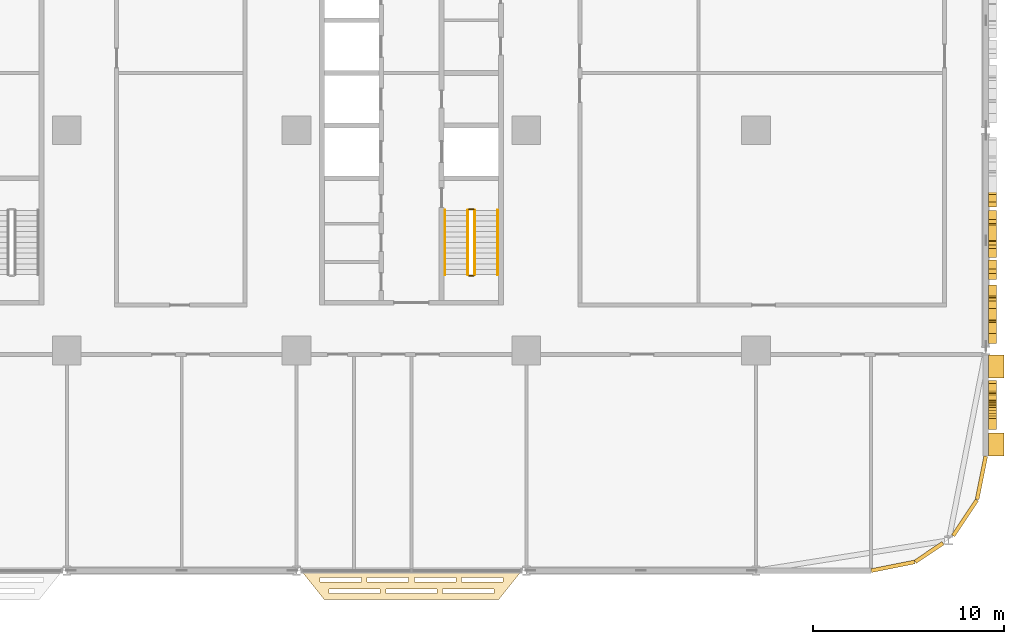
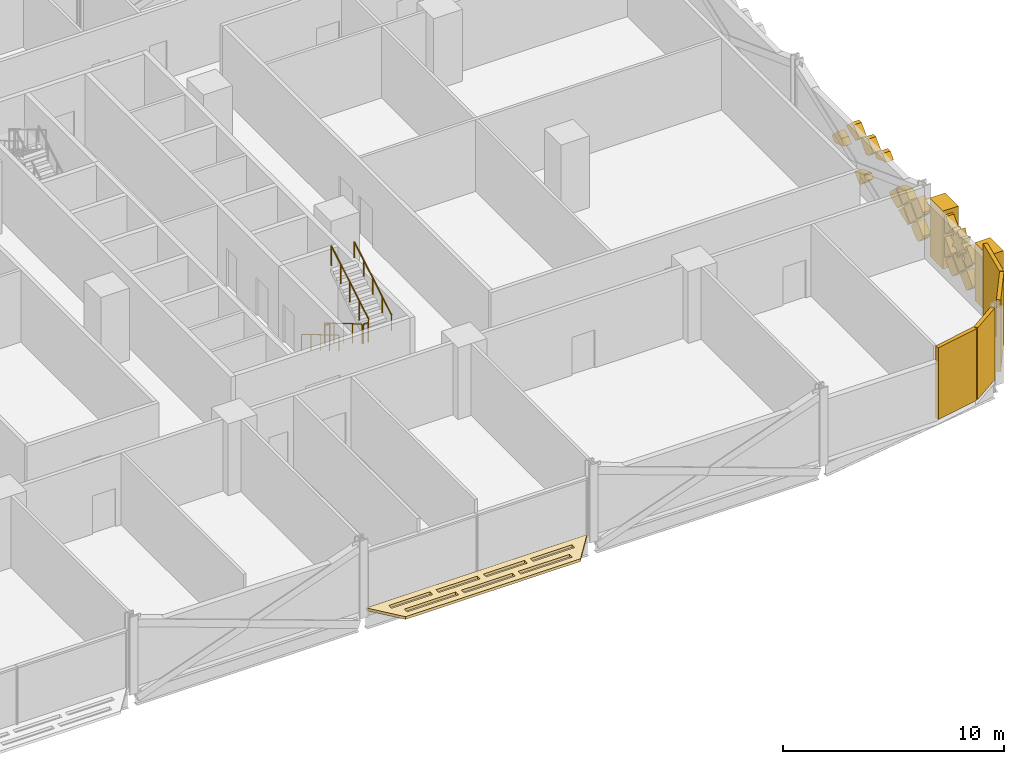
# One storey, part 28 of 29: 25 coverings, 6 railings.
"""IFC4 building model written with IfcOpenShell, lengths in metres."""

from ifc_helpers import new_model, si_unit, direction, frame, origin, origin_2d, place, context, subcontext, project, spatial, polyline, rectangle, circle, outline, extrude, material, layer, layer_set, type_object, element, save


model = new_model("IFC4")

# Units and contexts
model_context = context("Model", 3, precision=1e-05, world=origin(), true_north=direction((0.0, 1.0)))
body_context = subcontext(model_context, "Body", "Model", "MODEL_VIEW")
ifc_project = project(units=[si_unit("LENGTHUNIT", "METRE"), si_unit("AREAUNIT", "SQUARE_METRE"), si_unit("VOLUMEUNIT", "CUBIC_METRE"), si_unit("PLANEANGLEUNIT", "RADIAN"), si_unit("MASSUNIT", "GRAM", prefix="KILO")], contexts=[model_context])

# Site, building, storey
site_placement = place(None, origin())
site = spatial("IfcSite", under=ifc_project, at=site_placement, CompositionType="ELEMENT")
building_placement = place(site_placement, origin())
building = spatial("IfcBuilding", under=site, at=building_placement, Name="Mahtab Terrace Research Tower", CompositionType="ELEMENT")
storey_placement = place(building_placement, frame((0.0, 0.0, 54.60009765625)))
storey = spatial("IfcBuildingStorey", under=building, at=storey_placement, Name="L12", CompositionType="ELEMENT", Elevation=54.60009765625)

# Coverings
ifc_material_1 = material(Name="Black aluminium cladding panel", Category="aluminium")
ifc_layer_1 = layer(ifc_material_1, 0.199951171875)
ifc_layer_set_1 = layer_set([ifc_layer_1], Name="Black metal corner cladding 200")
covering_type_1 = type_object("IfcCoveringType", Name="Black metal corner cladding 200", PredefinedType="CLADDING", material=ifc_layer_set_1)
covering_1_placement = place(storey_placement, frame((49.14794921875, -22.771484375, 0.0), z_axis=(0.0, 0.0, 1.0), x_axis=(0.980760981187, 0.195212442692, 0.0)))
element("IfcCovering", 1, at=covering_1_placement, inside=storey, type_object=covering_type_1, Name="Corner cladding L12 31", PredefinedType="CLADDING", context=body_context, shape_type="SweptSolid", body=[
    extrude(rectangle(XDim=2.30126953125, YDim=0.199951171875, at=origin_2d()), origin(), (0.0, 0.0, 1.0), 3.9599609375),
])
covering_2_placement = place(storey_placement, frame((51.0380859375, -22.047607421875, 0.0), z_axis=(0.0, 0.0, 1.0), x_axis=(0.831655794326, 0.555291490808, 0.0)))
element("IfcCovering", 2, at=covering_2_placement, inside=storey, type_object=covering_type_1, Name="Corner cladding L12 32", PredefinedType="CLADDING", context=body_context, shape_type="SweptSolid", body=[
    extrude(rectangle(XDim=1.74462890625, YDim=0.199951171875, at=origin_2d()), origin(), (0.0, 0.0, 1.0), 3.9599609375),
])
covering_3_placement = place(storey_placement, frame((52.911376953125, -20.2421875, 0.0), z_axis=(0.0, 0.0, 1.0), x_axis=(0.555291490808, 0.831655794326, 0.0)))
element("IfcCovering", 3, at=covering_3_placement, inside=storey, type_object=covering_type_1, Name="Corner cladding L12 33", PredefinedType="CLADDING", context=body_context, shape_type="SweptSolid", body=[
    extrude(rectangle(XDim=2.235595703125, YDim=0.199951171875, at=origin_2d()), origin(), (0.0, 0.0, 1.0), 3.9599609375),
])
covering_4_placement = place(storey_placement, frame((53.771484375, -18.14794921875, 0.0), z_axis=(0.0, 0.0, 1.0), x_axis=(0.195212442692, 0.980760981187, 0.0)))
element("IfcCovering", 4, at=covering_4_placement, inside=storey, type_object=covering_type_1, Name="Corner cladding L12 34", PredefinedType="CLADDING", context=body_context, shape_type="SweptSolid", body=[
    extrude(rectangle(XDim=2.30126953125, YDim=0.199951171875, at=origin_2d()), origin(), (0.0, 0.0, 1.0), 3.9599609375),
])
ifc_material_2 = material(Name="Black anodised aluminium", Category="aluminium")
ifc_layer_2 = layer(ifc_material_2, 0.14990234375)
ifc_layer_set_2 = layer_set([ifc_layer_2], Name="Horizontal sunshade band")
covering_type_2 = type_object("IfcCoveringType", Name="Horizontal sunshade band", PredefinedType="CLADDING", material=ifc_layer_set_2)
covering_5_placement = place(storey_placement, frame((0.0, 0.0, -0.150146484375)))
element("IfcCovering", 5, at=covering_5_placement, inside=storey, type_object=covering_type_2, Name="Sunshade band L12 28", PredefinedType="CLADDING", context=body_context, shape_type="SweptSolid", body=[
    extrude(outline(polyline([(18.238037109375, -23.0), (29.761962890625, -23.0), (28.56201171875, -24.5), (19.43798828125, -24.5), (18.238037109375, -23.0)]), holes=[polyline([(19.218017578125, -23.35009765625), (21.384033203125, -23.35009765625), (21.384033203125, -23.60009765625), (19.218017578125, -23.60009765625), (19.218017578125, -23.35009765625)]), polyline([(21.68408203125, -23.35009765625), (23.85009765625, -23.35009765625), (23.85009765625, -23.60009765625), (21.68408203125, -23.60009765625), (21.68408203125, -23.35009765625)]), polyline([(24.14990234375, -23.35009765625), (26.31591796875, -23.35009765625), (26.31591796875, -23.60009765625), (24.14990234375, -23.60009765625), (24.14990234375, -23.35009765625)]), polyline([(26.615966796875, -23.35009765625), (28.781982421875, -23.35009765625), (28.781982421875, -23.60009765625), (26.615966796875, -23.60009765625), (26.615966796875, -23.35009765625)]), polyline([(19.697998046875, -23.949951171875), (22.365966796875, -23.949951171875), (22.365966796875, -24.199951171875), (19.697998046875, -24.199951171875), (19.697998046875, -23.949951171875)]), polyline([(22.666015625, -23.949951171875), (25.333984375, -23.949951171875), (25.333984375, -24.199951171875), (22.666015625, -24.199951171875), (22.666015625, -23.949951171875)]), polyline([(25.634033203125, -23.949951171875), (28.302001953125, -23.949951171875), (28.302001953125, -24.199951171875), (25.634033203125, -24.199951171875), (25.634033203125, -23.949951171875)])]), origin(), (0.0, 0.0, 1.0), 0.150146484375),
])
ifc_material_3 = material(Name="Bronze anodised aluminium", Category="aluminium")
ifc_layer_3 = layer(ifc_material_3, 0.39990234375)
ifc_layer_set_3 = layer_set([ifc_layer_3], Name="Mashrabiya relief panel 400")
covering_type_3 = type_object("IfcCoveringType", Name="Mashrabiya relief panel 400", PredefinedType="CLADDING", material=ifc_layer_set_3)
covering_6_placement = place(storey_placement, frame((54.14990234375, -14.10498046875, 2.600830078125), z_axis=(-1.0, 0.0, 0.0), x_axis=(0.0, 0.924784909208, 0.380490304346)))
element("IfcCovering", 6, at=covering_6_placement, inside=storey, type_object=covering_type_3, Name="Girih star panel L12 E35.1", PredefinedType="CLADDING", context=body_context, shape_type="SweptSolid", body=[
    extrude(outline(polyline([(0.0, 0.0), (0.3785719822676483, 0.0), (0.11224734785337949, 0.2687322986646593), (0.37970496369230244, 0.5355884707789882), (0.0018902966904386642, 0.5369560467454342), (0.0018902966904386642, 0.9155280290130825), (-0.2670677795399452, 0.6491105014581041), (-0.5340168447949836, 0.9167938948627515), (-0.53529152762072, 0.5387534502951633), (-0.9138635098883683, 0.5387534502951632), (-0.64744598233339, 0.2697953740647794), (-0.9149035981723128, 0.0029392019504504985), (-0.5370889311704492, 0.0015716259840045654), (-0.5371818243111587, -0.3767745787179192), (-0.2682237480807748, -0.11035705116294083), (-0.0012746828257363951, -0.3780404445675883), (0.0, 0.0)])), origin(), (0.0, 0.0, -1.0), 0.39990234375),
])
covering_7_placement = place(storey_placement, frame((54.14990234375, -15.6298828125, 0.64990234375), z_axis=(-1.0, 0.0, 0.0), x_axis=(0.0, 0.706957932274, 0.707255598772)))
element("IfcCovering", 7, at=covering_7_placement, inside=storey, type_object=covering_type_3, Name="Mashrabiya lattice cell L12 E35.2", PredefinedType="CLADDING", context=body_context, shape_type="SweptSolid", body=[
    extrude(outline(polyline([(0.0, 0.0), (0.8201817362875763, 0.0), (0.8200090664636573, 0.8203543334390104), (0.0916684182924955, 0.820028397344618), (-0.0001532662704735177, 0.7281680510197277), (0.0, 0.0)])), origin(), (0.0, 0.0, -1.0), 0.39990234375),
])
covering_8_placement = place(storey_placement, frame((54.14990234375, -15.050048828125, 1.369873046875), z_axis=(-1.0, 0.0, 0.0), x_axis=(0.0, -0.706957932274, 0.707255598772)))
element("IfcCovering", 8, at=covering_8_placement, inside=storey, type_object=covering_type_3, Name="Mashrabiya lattice cell L12 E35.3", PredefinedType="CLADDING", context=body_context, shape_type="SweptSolid", body=[
    extrude(outline(polyline([(0.0, 0.0), (0.8201817362875763, 0.0), (0.8203543334390104, 0.8200090664636573), (0.6451313797835451, 0.8202185812373772), (0.683780278674983, 0.7204282860420267), (0.6832506416056557, 0.6646677785312252), (0.6485374664743102, 0.5989017233111799), (0.5891440614476379, 0.5633517245171966), (0.5105960062360153, 0.5642314249458747), (0.27531694716485533, 0.6611283378308256), (0.153381456361958, 0.393917352294651), (0.08138526169126073, 0.3557805037312152), (7.681481644880583e-05, 0.3649471929482466), (0.0, 0.0)])), origin(), (0.0, 0.0, -1.0), 0.39990234375),
])
covering_9_placement = place(storey_placement, frame((54.14990234375, -13.820068359375, 1.2998046875), z_axis=(-1.0, 0.0, 0.0), x_axis=(0.0, -0.707106781187, -0.707106781187)))
element("IfcCovering", 9, at=covering_9_placement, inside=storey, type_object=covering_type_3, Name="Mashrabiya lattice cell L12 E35.4", PredefinedType="CLADDING", context=body_context, shape_type="SweptSolid", body=[
    extrude(outline(polyline([(0.0, 0.0), (0.8200090846279543, 0.0), (0.820181718119455, 0.820181718119455), (0.30953185026061514, 0.820181718119455), (0.15899544567207285, 0.7573431272132285), (0.25601546789542234, 0.5218710448063801), (0.2586049702679317, 0.4526450147146308), (0.22407827196780727, 0.3866990209613932), (0.16469235089159334, 0.3514817886952663), (0.09960952459585887, 0.34854701933975574), (-0.00017263349150062335, 0.38756218841889634), (0.0, 0.0)])), origin(), (0.0, 0.0, -1.0), 0.39990234375),
])
covering_10_placement = place(storey_placement, frame((54.14990234375, -14.330078125, 0.64990234375), z_axis=(-1.0, 0.0, 0.0), x_axis=(0.0, 0.707106781187, 0.707106781187)))
element("IfcCovering", 10, at=covering_10_placement, inside=storey, type_object=covering_type_3, Name="Mashrabiya lattice cell L12 E35.5", PredefinedType="CLADDING", context=body_context, shape_type="SweptSolid", body=[
    extrude(outline(polyline([(0.0, 0.0), (0.8203543516109556, 0.0), (0.8203543516109556, 0.8203543516109556), (0.0920136509698315, 0.820181718119455), (0.0001726334915005956, 0.728340700641124), (0.0, 0.0)])), origin(), (0.0, 0.0, -1.0), 0.39990234375),
])
covering_11_placement = place(storey_placement, frame((54.14990234375, -13.10009765625, 0.719970703125), z_axis=(-1.0, 0.0, 0.0), x_axis=(0.0, -0.707106781187, 0.707106781187)))
element("IfcCovering", 11, at=covering_11_placement, inside=storey, type_object=covering_type_3, Name="Mashrabiya lattice cell L12 E35.6", PredefinedType="CLADDING", context=body_context, shape_type="SweptSolid", body=[
    extrude(outline(polyline([(0.0, 0.0), (0.8200090846279543, 0.0), (0.820181718119455, 0.820181718119455), (0.7818570830063168, 0.820181718119455), (-0.00017263349150062335, 0.038152001621637455), (0.0, 0.0)])), origin(), (0.0, 0.0, -1.0), 0.39990234375),
])
covering_12_placement = place(storey_placement, frame((54.14990234375, -13.10009765625, 2.02001953125), z_axis=(-1.0, 0.0, 0.0), x_axis=(0.0, -0.707257695018, 0.70695583514)))
element("IfcCovering", 12, at=covering_12_placement, inside=storey, type_object=covering_type_3, Name="Mashrabiya lattice cell L12 E35.7", PredefinedType="CLADDING", context=body_context, shape_type="SweptSolid", body=[
    extrude(outline(polyline([(0.0, 0.0), (0.808787926104479, 0.0), (0.8200033176400423, 0.027105852676614473), (0.8198677902190659, 0.6620518199519299), (0.7216183692070511, 0.7602593077923645), (-0.00018077692422814942, 0.038151963904411015), (0.0, 0.0)])), origin(), (0.0, 0.0, -1.0), 0.39990234375),
])
covering_13_placement = place(storey_placement, frame((54.14990234375, -11.126953125, 0.5849609375), z_axis=(-1.0, 0.0, 0.0), x_axis=(0.0, 0.0, 1.0)))
element("IfcCovering", 13, at=covering_13_placement, inside=storey, type_object=covering_type_3, Name="Mashrabiya lattice cell L12 E36.1", PredefinedType="CLADDING", context=body_context, shape_type="SweptSolid", body=[
    extrude(outline(polyline([(0.0, 0.0), (0.1298828125, 0.0), (0.64501953125, 0.514892578125), (0.06494140625, 1.094970703125), (-0.326171875, 0.703857421875), (-0.428955078125, 0.428955078125), (0.0, 0.0)])), origin(), (0.0, 0.0, -1.0), 0.39990234375),
])
covering_14_placement = place(storey_placement, frame((54.14990234375, -10.612060546875, 2.52978515625), z_axis=(-1.0, 0.0, 0.0), x_axis=(0.0, 0.707255598772, -0.706957932274)))
element("IfcCovering", 14, at=covering_14_placement, inside=storey, type_object=covering_type_3, Name="Mashrabiya lattice cell L12 E36.2", PredefinedType="CLADDING", context=body_context, shape_type="SweptSolid", body=[
    extrude(outline(polyline([(0.0, 0.0), (0.8201817362875763, 0.0), (0.8200090664636573, 0.8203543334390104), (0.0916684182924955, 0.820028397344618), (-0.0001532662704735177, 0.7281680510197277), (0.0, 0.0)])), origin(), (0.0, 0.0, -1.0), 0.39990234375),
])
covering_15_placement = place(storey_placement, frame((54.14990234375, -9.9619140625, 1.8798828125), z_axis=(-1.0, 0.0, 0.0), x_axis=(0.0, 0.706957932274, -0.707255598772)))
element("IfcCovering", 15, at=covering_15_placement, inside=storey, type_object=covering_type_3, Name="Mashrabiya lattice cell L12 E36.3", PredefinedType="CLADDING", context=body_context, shape_type="SweptSolid", body=[
    extrude(outline(polyline([(0.0, 0.0), (0.8201817362875763, 0.0), (0.8203543334390104, 0.8200090664636573), (0.00017266982391900276, 0.8203543334390104), (0.0, 0.0)])), origin(), (0.0, 0.0, -1.0), 0.39990234375),
])
covering_16_placement = place(storey_placement, frame((54.14990234375, -9.89208984375, 0.64990234375), z_axis=(-1.0, 0.0, 0.0), x_axis=(0.0, 0.707106781187, 0.707106781187)))
element("IfcCovering", 16, at=covering_16_placement, inside=storey, type_object=covering_type_3, Name="Mashrabiya lattice cell L12 E36.4", PredefinedType="CLADDING", context=body_context, shape_type="SweptSolid", body=[
    extrude(outline(polyline([(0.0, 0.0), (0.8203543516109556, 0.0), (0.8203543516109556, 0.5714168568670587), (0.00017263349150062335, 0.1980106147512134), (0.0, 0.0)])), origin(), (0.0, 0.0, -1.0), 0.39990234375),
])
covering_17_placement = place(storey_placement, frame((54.14990234375, -8.73193359375, 1.949951171875), z_axis=(-1.0, 0.0, 0.0), x_axis=(0.0, -0.707106781187, -0.707106781187)))
element("IfcCovering", 17, at=covering_17_placement, inside=storey, type_object=covering_type_3, Name="Mashrabiya lattice cell L12 E36.5", PredefinedType="CLADDING", context=body_context, shape_type="SweptSolid", body=[
    extrude(outline(polyline([(0.0, 0.0), (0.8203543516109556, 0.0), (0.8203543516109556, 0.8203543516109556), (0.35079125472926387, 0.8203543516109556), (0.00017263349150062335, 0.049545812060678505), (0.0, 0.0)])), origin(), (0.0, 0.0, -1.0), 0.39990234375),
])
covering_18_placement = place(storey_placement, frame((54.14990234375, -9.241943359375, 1.2998046875), z_axis=(-1.0, 0.0, 0.0), x_axis=(0.0, 0.706957932274, 0.707255598772)))
element("IfcCovering", 18, at=covering_18_placement, inside=storey, type_object=covering_type_3, Name="Mashrabiya lattice cell L12 E36.6", PredefinedType="CLADDING", context=body_context, shape_type="SweptSolid", body=[
    extrude(outline(polyline([(0.0, 0.0), (0.8201817362875763, 0.0), (0.8200090664636573, 0.8203543334390104), (0.44539439820552335, 0.8202754837929869), (4.28767660404783e-05, 0.6164742208292362), (0.0, 0.0)])), origin(), (0.0, 0.0, -1.0), 0.39990234375),
])
covering_19_placement = place(storey_placement, frame((54.14990234375, -6.781982421875, 2.599853515625), z_axis=(-1.0, 0.0, 0.0), x_axis=(0.0, -0.707678180326, -0.706534919937)))
element("IfcCovering", 19, at=covering_19_placement, inside=storey, type_object=covering_type_3, Name="Mashrabiya lattice cell L12 E36.7", PredefinedType="CLADDING", context=body_context, shape_type="SweptSolid", body=[
    extrude(outline(polyline([(0.0, 0.0), (0.21354769876535717, -1.3877787807814457e-17), (0.5889979271315305, 0.8198784693660839), (0.15914067375567065, 0.8202259691667111), (0.0005350659580741768, 0.6618765901377699), (0.0, 0.0)])), origin(), (0.0, 0.0, -1.0), 0.39990234375),
])
covering_20_placement = place(storey_placement, frame((54.14990234375, -6.64208984375, 2.599853515625), z_axis=(-1.0, 0.0, 0.0), x_axis=(0.0, 0.707106781187, 0.707106781187)))
element("IfcCovering", 20, at=covering_20_placement, inside=storey, type_object=covering_type_3, Name="Mashrabiya lattice cell L12 E36.8", PredefinedType="CLADDING", context=body_context, shape_type="SweptSolid", body=[
    extrude(outline(polyline([(0.0, 0.0), (0.6618768064133846, 0.0), (0.8203543516109556, 0.15847754519757096), (0.8203543516109556, 0.8203543516109556), (0.1061695972728825, 0.8201817181194551), (0.0, 0.5883349390341197), (0.0, 0.0)])), origin(), (0.0, 0.0, -1.0), 0.39990234375),
])
covering_21_placement = place(storey_placement, frame((54.14990234375, -5.991943359375, 0.64990234375), z_axis=(-1.0, 0.0, 0.0), x_axis=(0.0, 0.707106781187, 0.707106781187)))
element("IfcCovering", 21, at=covering_21_placement, inside=storey, type_object=covering_type_3, Name="Mashrabiya lattice cell L12 E36.9", PredefinedType="CLADDING", context=body_context, shape_type="SweptSolid", body=[
    extrude(outline(polyline([(0.0, 0.0), (0.2630934410469479, 0.0), (0.3174729908696438, 0.024686589284588945), (0.6801759565124506, 0.8203543516109555), (0.0920136509698315, 0.820181718119455), (0.0, 0.7281680671496235), (0.0, 0.0)])), origin(), (0.0, 0.0, -1.0), 0.39990234375),
])
covering_22_placement = place(storey_placement, frame((54.14990234375, -5.342041015625, 2.599853515625), z_axis=(-1.0, 0.0, 0.0), x_axis=(0.0, 0.707106781187, 0.707106781187)))
element("IfcCovering", 22, at=covering_22_placement, inside=storey, type_object=covering_type_3, Name="Mashrabiya lattice cell L12 E36.10", PredefinedType="CLADDING", context=body_context, shape_type="SweptSolid", body=[
    extrude(outline(polyline([(0.0, 0.0), (0.6618768064133846, 0.0), (0.8203543516109556, 0.15847754519757096), (0.8203543516109556, 0.8203543516109556), (0.0, 0.4540260826466358), (0.0, 0.0)])), origin(), (0.0, 0.0, -1.0), 0.39990234375),
])
covering_23_placement = place(storey_placement, frame((54.14990234375, -2.882080078125, 1.2998046875), z_axis=(-1.0, 0.0, 0.0), x_axis=(0.0, -0.707106781187, -0.707106781187)))
element("IfcCovering", 23, at=covering_23_placement, inside=storey, type_object=covering_type_3, Name="Mashrabiya lattice cell L12 E36.11", PredefinedType="CLADDING", context=body_context, shape_type="SweptSolid", body=[
    extrude(outline(polyline([(0.0, 0.0), (0.37737681242035964, 0.0), (0.750783054536205, 0.820181718119455), (0.3789305138438653, 0.8201817181194551), (0.0, 0.6477208601103336), (0.0, 0.0)])), origin(), (0.0, 0.0, -1.0), 0.39990234375),
])
ifc_material_4 = material(Name="Glazed ceramic tile cladding", Category="masonry")
ifc_layer_4 = layer(ifc_material_4, 0.800048828125)
ifc_layer_set_4 = layer_set([ifc_layer_4], Name="Pishtaq frame pier 800")
covering_type_4 = type_object("IfcCoveringType", Name="Pishtaq frame pier 800", PredefinedType="CLADDING", material=ifc_layer_set_4)
for number, where, z_axis, x_axis, name in (
    (24, (54.550048828125, -16.39990234375, 0.00048828125), (0.0, 0.0, 1.0), (0.0, 1.0, 0.0), "Pishtaq frame pier 35a"),
    (25, (54.550048828125, -12.337890625, 0.00048828125), (0.0, 0.0, 1.0), (0.0, 1.0, 0.0), "Pishtaq frame pier 35b"),
):
    element("IfcCovering", number, at=place(storey_placement, frame(where, z_axis=z_axis, x_axis=x_axis)), inside=storey, type_object=covering_type_4, Name=name, PredefinedType="CLADDING", context=body_context, shape_type="SweptSolid", body=[
        extrude(rectangle(XDim=1.199951171875, YDim=0.800048828125, at=origin_2d()), origin(), (0.0, 0.0, 1.0), 3.202880859375),
    ])

# Railings
ifc_material_5 = material(Name="Stainless steel AISI 304", Category="steel")
railing_type_1 = type_object("IfcRailingType", Name="Stair guard 1100", PredefinedType="GUARDRAIL", material=ifc_material_5)
railing_1_placement = place(storey_placement, frame((26.949951171875, -4.175048828125, 0.165283203125)))
element("IfcRailing", 26, at=railing_1_placement, inside=storey, type_object=railing_type_1, Name="L12 ST4 stair guard 1", PredefinedType="GUARDRAIL", context=body_context, shape_type="SweptSolid", body=[
    extrude(circle(Radius=0.02392578125, at=origin_2d()), frame((0.0, 0.0, 1.076171875), z_axis=(0.0, -0.861011212953, 0.508585972249), x_axis=(1.0, 0.0, 0.0)), (0.0, 0.0, 1.0), 3.90234375),
    extrude(circle(Radius=0.02099609375, at=origin_2d()), origin(), (0.0, 0.0, 1.0), 1.052001953125),
    extrude(circle(Radius=0.02099609375, at=origin_2d()), frame((0.0, -0.83984375, 0.49609375)), (0.0, 0.0, 1.0), 1.052001953125),
    extrude(circle(Radius=0.02099609375, at=origin_2d()), frame((0.0, -1.679931640625, 0.9921875)), (0.0, 0.0, 1.0), 1.052001953125),
    extrude(circle(Radius=0.02099609375, at=origin_2d()), frame((0.0, -2.52001953125, 1.488525390625)), (0.0, 0.0, 1.0), 1.052001953125),
    extrude(circle(Radius=0.02099609375, at=origin_2d()), frame((0.0, -3.35986328125, 1.984619140625)), (0.0, 0.0, 1.0), 1.052001953125),
])
railing_2_placement = place(storey_placement, frame((27.0, -7.5849609375, 2.14990234375)))
element("IfcRailing", 27, at=railing_2_placement, inside=storey, type_object=railing_type_1, Name="L12 ST4 stair guard 2", PredefinedType="GUARDRAIL", context=body_context, shape_type="SweptSolid", body=[
    extrude(circle(Radius=0.02392578125, at=origin_2d()), frame((0.0, 0.0, 1.076171875), z_axis=(1.0, 0.0, 0.0), x_axis=(0.0, 1.0, 0.0)), (0.0, 0.0, 1.0), 0.25),
    extrude(circle(Radius=0.02099609375, at=origin_2d()), origin(), (0.0, 0.0, 1.0), 1.052001953125),
    extrude(circle(Radius=0.02099609375, at=origin_2d()), frame((0.25, 0.0, 0.0)), (0.0, 0.0, 1.0), 1.052001953125),
])
railing_3_placement = place(storey_placement, frame((27.300048828125, -7.534912109375, 2.315185546875)))
element("IfcRailing", 28, at=railing_3_placement, inside=storey, type_object=railing_type_1, Name="L12 ST4 stair guard 3", PredefinedType="GUARDRAIL", context=body_context, shape_type="SweptSolid", body=[
    extrude(circle(Radius=0.02392578125, at=origin_2d()), frame((0.0, 0.0, 1.076171875), z_axis=(0.0, 0.861011212953, 0.508585972249), x_axis=(-1.0, 0.0, 0.0)), (0.0, 0.0, 1.0), 3.90234375),
    extrude(circle(Radius=0.02099609375, at=origin_2d()), origin(), (0.0, 0.0, 1.0), 1.052001953125),
    extrude(circle(Radius=0.02099609375, at=origin_2d()), frame((0.0, 0.83984375, 0.49609375)), (0.0, 0.0, 1.0), 1.052001953125),
    extrude(circle(Radius=0.02099609375, at=origin_2d()), frame((0.0, 1.679931640625, 0.9921875)), (0.0, 0.0, 1.0), 1.052001953125),
    extrude(circle(Radius=0.02099609375, at=origin_2d()), frame((0.0, 2.52001953125, 1.488525390625)), (0.0, 0.0, 1.0), 1.052001953125),
    extrude(circle(Radius=0.02099609375, at=origin_2d()), frame((0.0, 3.35986328125, 1.984619140625)), (0.0, 0.0, 1.0), 1.052001953125),
])
railing_4_placement = place(storey_placement, frame((27.0, -4.125, 0.0)))
element("IfcRailing", 29, at=railing_4_placement, inside=storey, type_object=railing_type_1, Name="L12 ST4 stair guard 4", PredefinedType="GUARDRAIL", context=body_context, shape_type="SweptSolid", body=[
    extrude(circle(Radius=0.02392578125, at=origin_2d()), frame((0.0, 0.0, 1.076171875), z_axis=(1.0, 0.0, 0.0), x_axis=(0.0, 1.0, 0.0)), (0.0, 0.0, 1.0), 0.25),
    extrude(circle(Radius=0.02099609375, at=origin_2d()), origin(), (0.0, 0.0, 1.0), 1.052001953125),
    extrude(circle(Radius=0.02099609375, at=origin_2d()), frame((0.25, 0.0, 0.0)), (0.0, 0.0, 1.0), 1.052001953125),
])
railing_type_2 = type_object("IfcRailingType", Name="Stair handrail 900", PredefinedType="HANDRAIL", material=ifc_material_5)
railing_5_placement = place(storey_placement, frame((25.75, -4.175048828125, 0.165283203125)))
element("IfcRailing", 30, at=railing_5_placement, inside=storey, type_object=railing_type_2, Name="L12 ST4 stair handrail 1", PredefinedType="HANDRAIL", context=body_context, shape_type="SweptSolid", body=[
    extrude(circle(Radius=0.02392578125, at=origin_2d()), frame((0.0, 0.0, 0.8759765625), z_axis=(0.0, -0.861011212953, 0.508585972249), x_axis=(1.0, 0.0, 0.0)), (0.0, 0.0, 1.0), 3.90234375),
    extrude(circle(Radius=0.02099609375, at=origin_2d()), origin(), (0.0, 0.0, 1.0), 0.851806640625),
    extrude(circle(Radius=0.02099609375, at=origin_2d()), frame((0.0, -0.83984375, 0.49609375)), (0.0, 0.0, 1.0), 0.851806640625),
    extrude(circle(Radius=0.02099609375, at=origin_2d()), frame((0.0, -1.679931640625, 0.9921875)), (0.0, 0.0, 1.0), 0.851806640625),
    extrude(circle(Radius=0.02099609375, at=origin_2d()), frame((0.0, -2.52001953125, 1.488525390625)), (0.0, 0.0, 1.0), 0.851806640625),
    extrude(circle(Radius=0.02099609375, at=origin_2d()), frame((0.0, -3.35986328125, 1.984619140625)), (0.0, 0.0, 1.0), 0.851806640625),
])
railing_6_placement = place(storey_placement, frame((28.5, -7.534912109375, 2.315185546875)))
element("IfcRailing", 31, at=railing_6_placement, inside=storey, type_object=railing_type_2, Name="L12 ST4 stair handrail 2", PredefinedType="HANDRAIL", context=body_context, shape_type="SweptSolid", body=[
    extrude(circle(Radius=0.02392578125, at=origin_2d()), frame((0.0, 0.0, 0.8759765625), z_axis=(0.0, 0.861011212953, 0.508585972249), x_axis=(-1.0, 0.0, 0.0)), (0.0, 0.0, 1.0), 3.90234375),
    extrude(circle(Radius=0.02099609375, at=origin_2d()), origin(), (0.0, 0.0, 1.0), 0.851806640625),
    extrude(circle(Radius=0.02099609375, at=origin_2d()), frame((0.0, 0.83984375, 0.49609375)), (0.0, 0.0, 1.0), 0.851806640625),
    extrude(circle(Radius=0.02099609375, at=origin_2d()), frame((0.0, 1.679931640625, 0.9921875)), (0.0, 0.0, 1.0), 0.851806640625),
    extrude(circle(Radius=0.02099609375, at=origin_2d()), frame((0.0, 2.52001953125, 1.488525390625)), (0.0, 0.0, 1.0), 0.851806640625),
    extrude(circle(Radius=0.02099609375, at=origin_2d()), frame((0.0, 3.35986328125, 1.984619140625)), (0.0, 0.0, 1.0), 0.851806640625),
])

save(model, "model.ifc")
